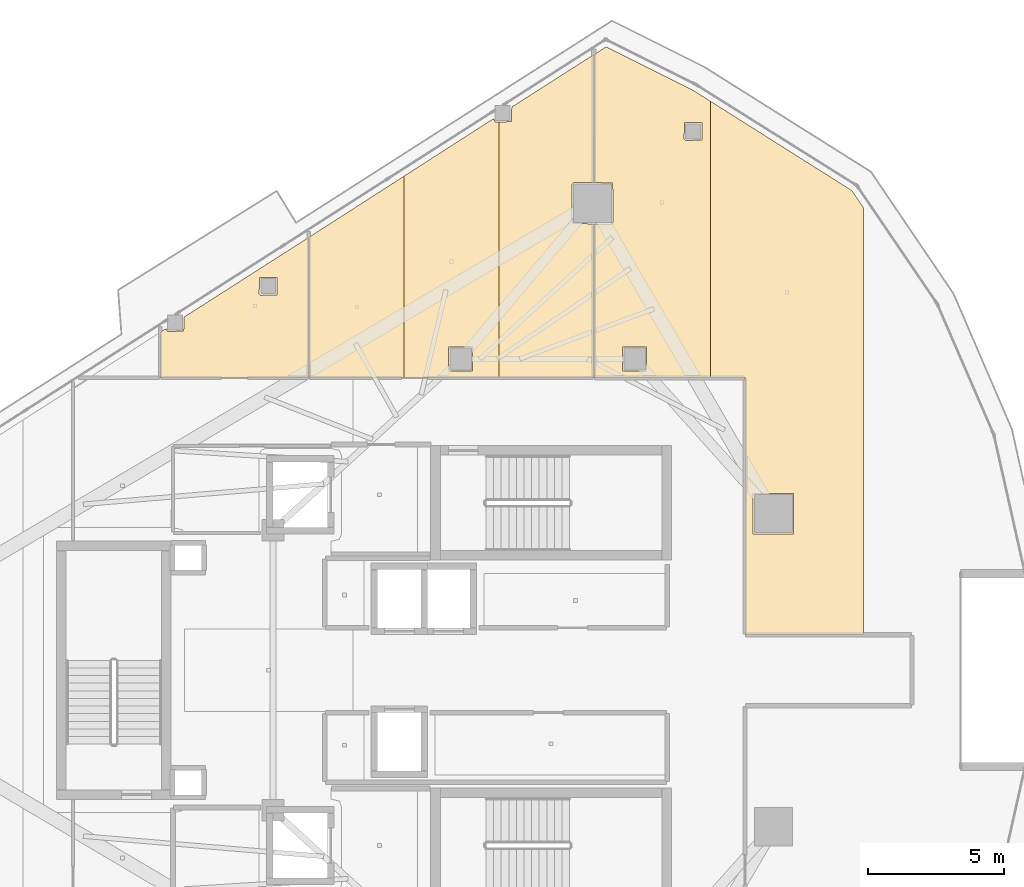
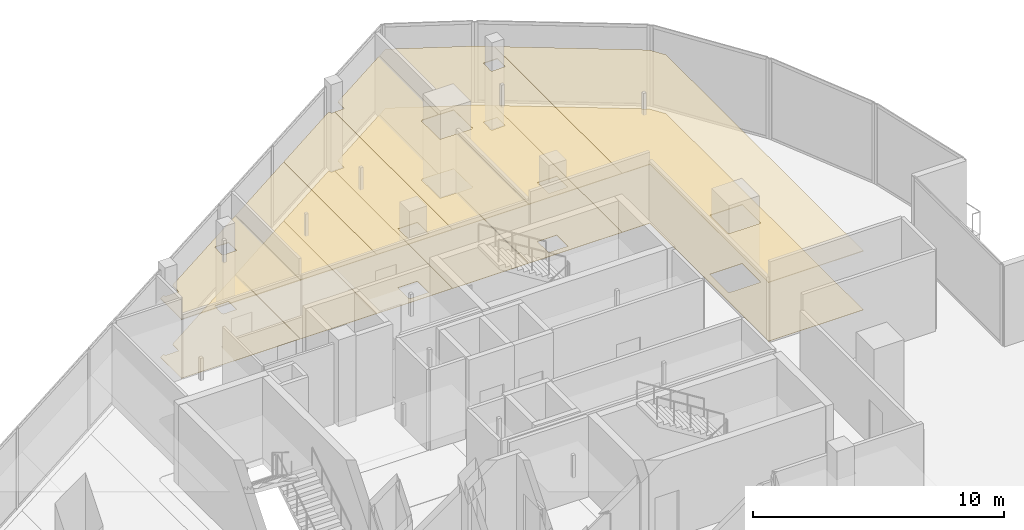
# One storey, part 27 of 27: 12 coverings.
"""IFC4 building model written with IfcOpenShell, lengths in metres."""

import ifcopenshell
import ifcopenshell.guid

model = None  # the IFC model being written
_history = None  # IfcOwnerHistory: only IFC2X3 demands one
_inside = {}  # id of a spatial element -> (the spatial element, [elements in it])
_under = {}  # id of a project, library or spatial element -> (it, [spatial elements below it])
_declared = {}  # id of a project -> (the project, [libraries it declares])
_typed = {}  # id of a type object -> (the type object, [elements of that type])
_made_of = {}  # id of a material, layer set ... -> (it, [elements and type objects made of it])


def new_model(schema):
    """Start an empty IFC model of exactly this schema.

    Asked for "IFC4X3", IfcOpenShell would pick the latest addendum, in which some entities
    have other attributes; the version numbers below select the first issue.
    IFC2X3 requires an IfcOwnerHistory on every rooted entity: one is made here for all.
    """
    global model, _history
    if schema == "IFC4X3":
        model = ifcopenshell.file(schema_version=(4, 3, 0, 0))
    else:
        model = ifcopenshell.file(schema=schema)
    _inside.clear()
    _under.clear()
    _declared.clear()
    _typed.clear()
    _made_of.clear()
    _history = None
    if model.schema == "IFC2X3":
        org = make("IfcOrganization", Name="unknown")
        user = make(
            "IfcPersonAndOrganization",
            ThePerson=make("IfcPerson", FamilyName="unknown"),
            TheOrganization=org,
        )
        app = make(
            "IfcApplication",
            ApplicationDeveloper=org,
            Version="unknown",
            ApplicationFullName="unknown",
            ApplicationIdentifier="unknown",
        )
        _history = make(
            "IfcOwnerHistory",
            OwningUser=user,
            OwningApplication=app,
            ChangeAction="ADDED",
            CreationDate=0,
        )
    return model


def make(cls, **values):
    """One entity of the class cls with the attributes given. An attribute that is None is left unset."""
    return model.create_entity(
        cls, **{name: value for name, value in values.items() if value is not None}
    )


def rooted(cls, **values):
    """An entity with a GlobalId (a new one), such as an element, a storey or a relation."""
    return make(cls, GlobalId=ifcopenshell.guid.new(), OwnerHistory=_history, **values)


def si_unit(unit_type, name, prefix=None):
    """IfcSIUnit, for example si_unit("LENGTHUNIT", "METRE", prefix="MILLI")."""
    return make("IfcSIUnit", UnitType=unit_type, Prefix=prefix, Name=name)


def assignment(units):
    """IfcUnitAssignment: the units of a project."""
    return None if units is None else make("IfcUnitAssignment", Units=units)


def point(xyz):
    """IfcCartesianPoint."""
    return None if xyz is None else make("IfcCartesianPoint", Coordinates=xyz)


def direction(xyz):
    """IfcDirection."""
    return None if xyz is None else make("IfcDirection", DirectionRatios=xyz)


def frame(location, z_axis=None, x_axis=None):
    """IfcAxis2Placement3D, a coordinate frame: its origin and axes. An axis left out is left unset."""
    return make(
        "IfcAxis2Placement3D",
        Location=point(location),
        Axis=direction(z_axis),
        RefDirection=direction(x_axis),
    )


def origin():
    """The frame at (0, 0, 0) with its axes left unset."""
    return frame((0.0, 0.0, 0.0))


def place(relative_to, where):
    """IfcLocalPlacement: puts the frame where relative to a parent placement (None: the world)."""
    return make(
        "IfcLocalPlacement", PlacementRelTo=relative_to, RelativePlacement=where
    )


def context(
    kind, dimensions, precision=None, world=None, true_north=None, identifier=None
):
    """IfcGeometricRepresentationContext, for example the 3D "Model" context."""
    return make(
        "IfcGeometricRepresentationContext",
        ContextIdentifier=identifier,
        ContextType=kind,
        CoordinateSpaceDimension=dimensions,
        Precision=precision,
        WorldCoordinateSystem=world,
        TrueNorth=true_north,
    )


def subcontext(parent, identifier, kind, view, scale=None):
    """IfcGeometricRepresentationSubContext, for example "Body" below "Model"."""
    return make(
        "IfcGeometricRepresentationSubContext",
        ContextIdentifier=identifier,
        ContextType=kind,
        ParentContext=parent,
        TargetScale=scale,
        TargetView=view,
    )


def project(units=None, contexts=None):
    """IfcProject with its units and contexts."""
    return rooted(
        "IfcProject",
        Name="project",
        RepresentationContexts=contexts,
        UnitsInContext=assignment(units),
    )


def spatial(cls, under=None, at=None, **own):
    """A site, building, storey or space (cls), placed at a placement, below another one or the project."""
    s = rooted(cls, ObjectPlacement=at, **own)
    if under is not None:
        _under.setdefault(under.id(), (under, []))[1].append(s)
    return s


def polyline(points):
    """IfcPolyline through the points."""
    return make("IfcPolyline", Points=[point(p) for p in points])


def outline(outer, holes=None, kind="AREA"):
    """IfcArbitraryClosedProfileDef: a profile drawn as a closed curve; with holes, ...WithVoids."""
    if holes is None:
        return make("IfcArbitraryClosedProfileDef", ProfileType=kind, OuterCurve=outer)
    return make(
        "IfcArbitraryProfileDefWithVoids",
        ProfileType=kind,
        OuterCurve=outer,
        InnerCurves=holes,
    )


def extrude(swept, where, along, depth):
    """IfcExtrudedAreaSolid: the profile swept, set in the frame where, extruded along a direction by depth."""
    return make(
        "IfcExtrudedAreaSolid",
        SweptArea=swept,
        Position=where,
        ExtrudedDirection=direction(along),
        Depth=depth,
    )


def shape(context_of_items, identifier, shape_type, items):
    """IfcShapeRepresentation: the items that make up one representation, for example the "Body"."""
    return make(
        "IfcShapeRepresentation",
        ContextOfItems=context_of_items,
        RepresentationIdentifier=identifier,
        RepresentationType=shape_type,
        Items=items,
    )


def material(Name=None, Category=None):
    """IfcMaterial."""
    return make("IfcMaterial", Name=Name, Category=Category)


def layer(
    of_material, thickness, ventilated=None, Name=None, Category=None, Priority=None
):
    """IfcMaterialLayer: one layer of a wall or slab, of a material (None: an air gap)."""
    return make(
        "IfcMaterialLayer",
        Material=of_material,
        LayerThickness=thickness,
        IsVentilated=ventilated,
        Name=Name,
        Category=Category,
        Priority=Priority,
    )


def layer_set(layers, Name=None):
    """IfcMaterialLayerSet."""
    return make("IfcMaterialLayerSet", MaterialLayers=layers, LayerSetName=Name)


def made_of(thing, what):
    """Note that an element or type object is made of a material, layer set ...; save() writes the relation."""
    if what is not None:
        _made_of.setdefault(what.id(), (what, []))[1].append(thing)
    return thing


def type_object(cls, material=None, **own):
    """A type object (cls), such as IfcWallType, which elements share."""
    return made_of(rooted(cls, **own), material)


def element(
    cls,
    number,
    at=None,
    inside=None,
    cuts=None,
    type_object=None,
    material=None,
    context=None,
    identifier="Body",
    shape_type=None,
    held_by="IfcProductDefinitionShape",
    body=None,
    shapes=None,
    **own,
):
    """One element of the class cls, such as IfcWall. Its Tag is "e" and its number.

    at: its placement. inside: the storey or other place that contains it. cuts: it is an
    opening in that element (IfcRelVoidsElement). A single representation is given by context,
    identifier, shape_type and body (its items); several are given by shapes. held_by: the class
    of the entity that holds the representations. save() writes the other relations.
    """
    e = rooted(cls, Tag="e%d" % number, ObjectPlacement=at, **own)
    if body is not None:
        shapes = [shape(context, identifier, shape_type, body)]
    if shapes is not None:
        e.Representation = make(held_by, Representations=shapes)
    if inside is not None:
        _inside.setdefault(inside.id(), (inside, []))[1].append(e)
    if cuts is not None:
        rooted(
            "IfcRelVoidsElement", RelatingBuildingElement=cuts, RelatedOpeningElement=e
        )
    if type_object is not None:
        _typed.setdefault(type_object.id(), (type_object, []))[1].append(e)
    return made_of(e, material)


def aggregate(whole, parts):
    """IfcRelAggregates: a whole, such as a stair, and the parts it consists of."""
    return rooted("IfcRelAggregates", RelatingObject=whole, RelatedObjects=parts)


def save(model, path):
    """Write the relations noted so far, then the file.

    IfcRelAggregates (storeys below a building ...), IfcRelContainedInSpatialStructure (elements
    in a storey), IfcRelDefinesByType, IfcRelAssociatesMaterial and IfcRelDeclares: one each for
    every whole, place, type object, material and project.
    """
    for whole, parts in _under.values():
        aggregate(whole, parts)
    for where, things in _inside.values():
        rooted(
            "IfcRelContainedInSpatialStructure",
            RelatedElements=things,
            RelatingStructure=where,
        )
    for kind, things in _typed.values():
        rooted("IfcRelDefinesByType", RelatedObjects=things, RelatingType=kind)
    for what, things in _made_of.values():
        rooted("IfcRelAssociatesMaterial", RelatedObjects=things, RelatingMaterial=what)
    for by, libraries in _declared.values():
        rooted("IfcRelDeclares", RelatingContext=by, RelatedDefinitions=libraries)
    model.write(path)


model = new_model("IFC4")

# Units and contexts
model_context = context("Model", 3, precision=1e-05, world=origin(), true_north=direction((0.0, 1.0)))
body_context = subcontext(model_context, "Body", "Model", "MODEL_VIEW")
ifc_project = project(units=[si_unit("LENGTHUNIT", "METRE"), si_unit("AREAUNIT", "SQUARE_METRE"), si_unit("VOLUMEUNIT", "CUBIC_METRE"), si_unit("PLANEANGLEUNIT", "RADIAN"), si_unit("MASSUNIT", "GRAM", prefix="KILO")], contexts=[model_context])

# Site, building, storey
site_placement = place(None, origin())
site = spatial("IfcSite", under=ifc_project, at=site_placement, CompositionType="ELEMENT")
building_placement = place(site_placement, origin())
building = spatial("IfcBuilding", under=site, at=building_placement, Name="Qorvath Tower", CompositionType="ELEMENT")
storey_placement = place(building_placement, frame((0.0, 0.0, 293.39990234375)))
storey = spatial("IfcBuildingStorey", under=building, at=storey_placement, Name="L68", CompositionType="ELEMENT", Elevation=293.39990234375)

# Coverings
ifc_material_1 = material(Name="Acoustic mineral fibre ceiling tile", Category="gypsum")
ifc_layer_1 = layer(ifc_material_1, 0.030029296875)
ifc_layer_set_1 = layer_set([ifc_layer_1], Name="COV-CEIL")
covering_type_1 = type_object("IfcCoveringType", Name="COV-CEIL", PredefinedType="CEILING", material=ifc_layer_set_1)
covering_1_placement = place(storey_placement, frame((0.0, 0.0, 2.85009765625)))
element("IfcCovering", 1, at=covering_1_placement, inside=storey, type_object=covering_type_1, Name="L68 Suspended Acoustic Ceiling 016", PredefinedType="CEILING", context=body_context, shape_type="SweptSolid", body=[
    extrude(outline(polyline([(-14.41064453125, 10.761962890625), (-14.41064453125, 20.9248046875), (-15.06787109375, 21.339599609375), (-18.252685546875, 22.928466796875), (-18.693603515625, 22.638427734375), (-18.693603515625, 17.935546875), (-18.008056640625, 17.91796875), (-17.990478515625, 16.4755859375), (-18.050537109375, 16.41552734375), (-18.693603515625, 16.41552734375), (-18.693603515625, 10.762939453125), (-14.41064453125, 10.761962890625)]), holes=[polyline([(-15.381103515625, 19.543212890625), (-15.363525390625, 20.135498046875), (-14.728759765625, 20.135498046875), (-14.728759765625, 19.500732421875), (-15.321044921875, 19.483154296875), (-15.381103515625, 19.543212890625)]), polyline([(-17.642333984375, 11.007568359375), (-17.642333984375, 11.892333984375), (-16.757568359375, 11.892333984375), (-16.757568359375, 11.007568359375), (-17.642333984375, 11.007568359375)])]), origin(), (0.0, 0.0, 1.0), 0.030029296875),
])
covering_2_placement = place(storey_placement, frame((0.0, 0.0, 2.85009765625)))
element("IfcCovering", 2, at=covering_2_placement, inside=storey, type_object=covering_type_1, Name="L68 Suspended Acoustic Ceiling 017", PredefinedType="CEILING", context=body_context, shape_type="SweptSolid", body=[
    extrude(outline(polyline([(-8.78515625, 1.31201171875), (-8.78515625, 17.015625), (-9.21044921875, 17.6416015625), (-14.41064453125, 20.9248046875), (-14.41064453125, 10.761962890625), (-13.138427734375, 10.761474609375), (-13.136962890625, 1.31298828125), (-8.78515625, 1.31201171875)]), holes=[polyline([(-12.839111328125, 5.015380859375), (-12.839111328125, 6.500244140625), (-11.3544921875, 6.500244140625), (-11.3544921875, 5.015380859375), (-12.839111328125, 5.015380859375)])]), origin(), (0.0, 0.0, 1.0), 0.030029296875),
])
covering_3_placement = place(storey_placement, frame((0.0, 0.0, 2.85009765625)))
element("IfcCovering", 3, at=covering_3_placement, inside=storey, type_object=covering_type_1, Name="L68 Suspended Acoustic Ceiling 018", PredefinedType="CEILING", context=body_context, shape_type="SweptSolid", body=[
    extrude(outline(polyline([(-29.188232421875, 15.918212890625), (-33.769287109375, 12.990234375), (-33.786865234375, 12.47509765625), (-34.379150390625, 12.45751953125), (-34.439208984375, 12.56201171875), (-34.636962890625, 12.435791015625), (-34.636962890625, 10.762939453125), (-29.188232421875, 10.762939453125), (-29.188232421875, 15.918212890625)]), holes=[polyline([(-30.99462890625, 14.441650390625), (-30.35986328125, 14.441650390625), (-30.35986328125, 13.806884765625), (-30.9521484375, 13.789306640625), (-31.01220703125, 13.849365234375), (-30.99462890625, 14.441650390625)])]), origin(), (0.0, 0.0, 1.0), 0.030029296875),
])
covering_4_placement = place(storey_placement, frame((0.0, 0.0, 2.85009765625)))
element("IfcCovering", 4, at=covering_4_placement, inside=storey, type_object=covering_type_1, Name="L68 Suspended Acoustic Ceiling 019", PredefinedType="CEILING", context=body_context, shape_type="SweptSolid", body=[
    extrude(outline(polyline([(-25.677490234375, 10.762939453125), (-25.677490234375, 18.17431640625), (-29.170166015625, 15.9296875), (-29.170166015625, 10.762939453125), (-25.677490234375, 10.762939453125)])), origin(), (0.0, 0.0, 1.0), 0.030029296875),
])
covering_5_placement = place(storey_placement, frame((0.0, 0.0, 2.85009765625)))
element("IfcCovering", 5, at=covering_5_placement, inside=storey, type_object=covering_type_1, Name="L68 Suspended Acoustic Ceiling 020", PredefinedType="CEILING", context=body_context, shape_type="SweptSolid", body=[
    extrude(outline(polyline([(-22.38818359375, 20.287841796875), (-25.677490234375, 18.17431640625), (-25.677490234375, 10.762939453125), (-22.1845703125, 10.762939453125), (-22.1845703125, 20.1640625), (-22.328125, 20.159912109375), (-22.38818359375, 20.287841796875)]), holes=[polyline([(-24.04248046875, 11.007568359375), (-24.04248046875, 11.892333984375), (-23.157470703125, 11.892333984375), (-23.157470703125, 11.007568359375), (-24.04248046875, 11.007568359375)])]), origin(), (0.0, 0.0, 1.0), 0.030029296875),
])
covering_6_placement = place(storey_placement, frame((0.0, 0.0, 2.85009765625)))
element("IfcCovering", 6, at=covering_6_placement, inside=storey, type_object=covering_type_1, Name="L68 Suspended Acoustic Ceiling 021", PredefinedType="CEILING", context=body_context, shape_type="SweptSolid", body=[
    extrude(outline(polyline([(-22.1845703125, 20.1640625), (-22.1845703125, 10.762939453125), (-18.711669921875, 10.762939453125), (-18.711669921875, 16.41552734375), (-19.492919921875, 16.43310546875), (-19.510498046875, 17.87548828125), (-19.45068359375, 17.935546875), (-18.71142578125, 17.935546875), (-18.691650390625, 22.6494140625), (-21.71826171875, 20.716064453125), (-21.73583984375, 20.177490234375), (-22.1845703125, 20.1640625)])), origin(), (0.0, 0.0, 1.0), 0.030029296875),
])
ifc_material_2 = material(Name="Low-VOC modular carpet tile", Category="textile")
ifc_layer_2 = layer(ifc_material_2, 0.014892578125)
ifc_layer_set_2 = layer_set([ifc_layer_2], Name="COV-FLOOR-CPT")
covering_type_2 = type_object("IfcCoveringType", Name="COV-FLOOR-CPT", PredefinedType="FLOORING", material=ifc_layer_set_2)
covering_7_placement = place(storey_placement, origin())
element("IfcCovering", 7, at=covering_7_placement, inside=storey, type_object=covering_type_2, Name="L68 Floor Finish 016", PredefinedType="FLOORING", context=body_context, shape_type="SweptSolid", body=[
    extrude(outline(polyline([(-14.41064453125, 10.761962890625), (-14.41064453125, 20.9248046875), (-15.06787109375, 21.339599609375), (-18.252685546875, 22.928466796875), (-18.693603515625, 22.638427734375), (-18.693603515625, 17.935546875), (-18.008056640625, 17.91796875), (-17.990478515625, 16.4755859375), (-18.050537109375, 16.41552734375), (-18.693603515625, 16.41552734375), (-18.693603515625, 10.762939453125), (-14.41064453125, 10.761962890625)]), holes=[polyline([(-15.381103515625, 19.543212890625), (-15.363525390625, 20.135498046875), (-14.728759765625, 20.135498046875), (-14.728759765625, 19.500732421875), (-15.321044921875, 19.483154296875), (-15.381103515625, 19.543212890625)]), polyline([(-17.642333984375, 11.007568359375), (-17.642333984375, 11.892333984375), (-16.757568359375, 11.892333984375), (-16.757568359375, 11.007568359375), (-17.642333984375, 11.007568359375)])]), origin(), (0.0, 0.0, 1.0), 0.01513671875),
])
covering_8_placement = place(storey_placement, origin())
element("IfcCovering", 8, at=covering_8_placement, inside=storey, type_object=covering_type_2, Name="L68 Floor Finish 017", PredefinedType="FLOORING", context=body_context, shape_type="SweptSolid", body=[
    extrude(outline(polyline([(-8.78515625, 1.31201171875), (-8.78515625, 17.015625), (-9.21044921875, 17.6416015625), (-14.41064453125, 20.9248046875), (-14.41064453125, 10.761962890625), (-13.138427734375, 10.761474609375), (-13.136962890625, 1.31298828125), (-8.78515625, 1.31201171875)]), holes=[polyline([(-12.839111328125, 5.015380859375), (-12.839111328125, 6.500244140625), (-11.3544921875, 6.500244140625), (-11.3544921875, 5.015380859375), (-12.839111328125, 5.015380859375)])]), origin(), (0.0, 0.0, 1.0), 0.01513671875),
])
covering_9_placement = place(storey_placement, origin())
element("IfcCovering", 9, at=covering_9_placement, inside=storey, type_object=covering_type_2, Name="L68 Floor Finish 018", PredefinedType="FLOORING", context=body_context, shape_type="SweptSolid", body=[
    extrude(outline(polyline([(-29.188232421875, 15.918212890625), (-33.769287109375, 12.990234375), (-33.786865234375, 12.47509765625), (-34.379150390625, 12.45751953125), (-34.439208984375, 12.56201171875), (-34.636962890625, 12.435791015625), (-34.636962890625, 10.762939453125), (-29.188232421875, 10.762939453125), (-29.188232421875, 15.918212890625)]), holes=[polyline([(-30.99462890625, 14.441650390625), (-30.35986328125, 14.441650390625), (-30.35986328125, 13.806884765625), (-30.9521484375, 13.789306640625), (-31.01220703125, 13.849365234375), (-30.99462890625, 14.441650390625)])]), origin(), (0.0, 0.0, 1.0), 0.01513671875),
])
covering_10_placement = place(storey_placement, origin())
element("IfcCovering", 10, at=covering_10_placement, inside=storey, type_object=covering_type_2, Name="L68 Floor Finish 019", PredefinedType="FLOORING", context=body_context, shape_type="SweptSolid", body=[
    extrude(outline(polyline([(-25.677490234375, 10.762939453125), (-25.677490234375, 18.17431640625), (-29.170166015625, 15.9296875), (-29.170166015625, 10.762939453125), (-25.677490234375, 10.762939453125)])), origin(), (0.0, 0.0, 1.0), 0.01513671875),
])
covering_11_placement = place(storey_placement, origin())
element("IfcCovering", 11, at=covering_11_placement, inside=storey, type_object=covering_type_2, Name="L68 Floor Finish 020", PredefinedType="FLOORING", context=body_context, shape_type="SweptSolid", body=[
    extrude(outline(polyline([(-22.38818359375, 20.287841796875), (-25.677490234375, 18.17431640625), (-25.677490234375, 10.762939453125), (-22.1845703125, 10.762939453125), (-22.1845703125, 20.1640625), (-22.328125, 20.159912109375), (-22.38818359375, 20.287841796875)]), holes=[polyline([(-24.04248046875, 11.007568359375), (-24.04248046875, 11.892333984375), (-23.157470703125, 11.892333984375), (-23.157470703125, 11.007568359375), (-24.04248046875, 11.007568359375)])]), origin(), (0.0, 0.0, 1.0), 0.01513671875),
])
covering_12_placement = place(storey_placement, origin())
element("IfcCovering", 12, at=covering_12_placement, inside=storey, type_object=covering_type_2, Name="L68 Floor Finish 021", PredefinedType="FLOORING", context=body_context, shape_type="SweptSolid", body=[
    extrude(outline(polyline([(-22.1845703125, 20.1640625), (-22.1845703125, 10.762939453125), (-18.711669921875, 10.762939453125), (-18.711669921875, 16.41552734375), (-19.492919921875, 16.43310546875), (-19.510498046875, 17.87548828125), (-19.45068359375, 17.935546875), (-18.71142578125, 17.935546875), (-18.691650390625, 22.6494140625), (-21.71826171875, 20.716064453125), (-21.73583984375, 20.177490234375), (-22.1845703125, 20.1640625)])), origin(), (0.0, 0.0, 1.0), 0.01513671875),
])

save(model, "model.ifc")
